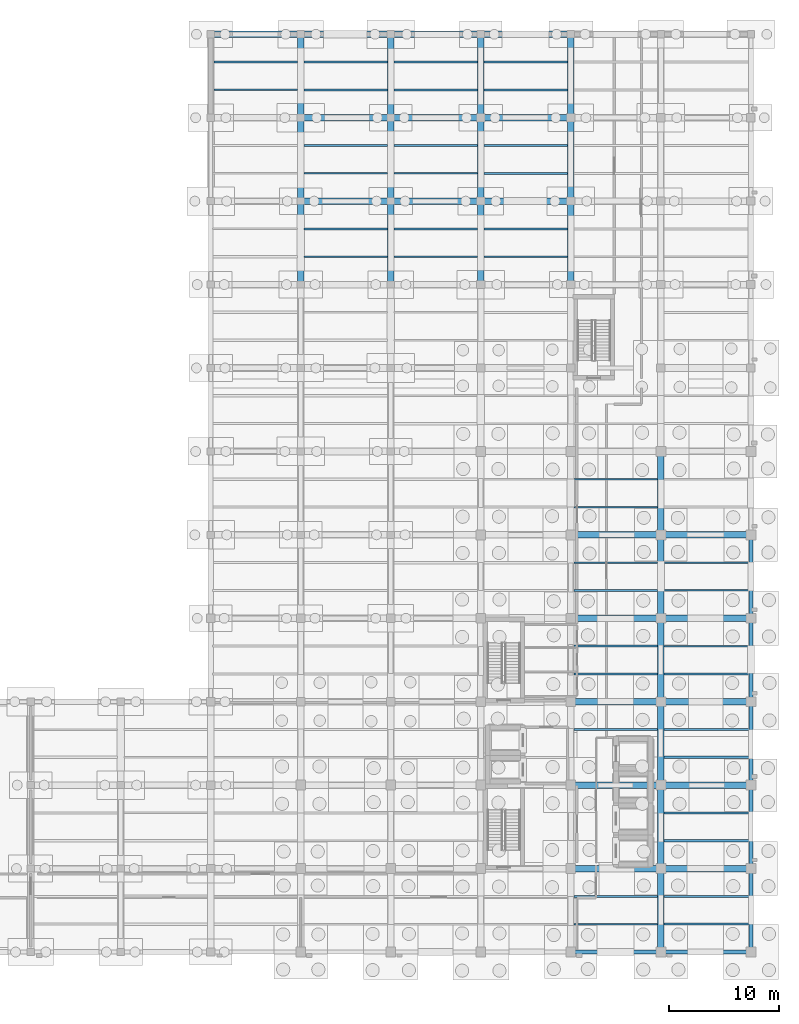
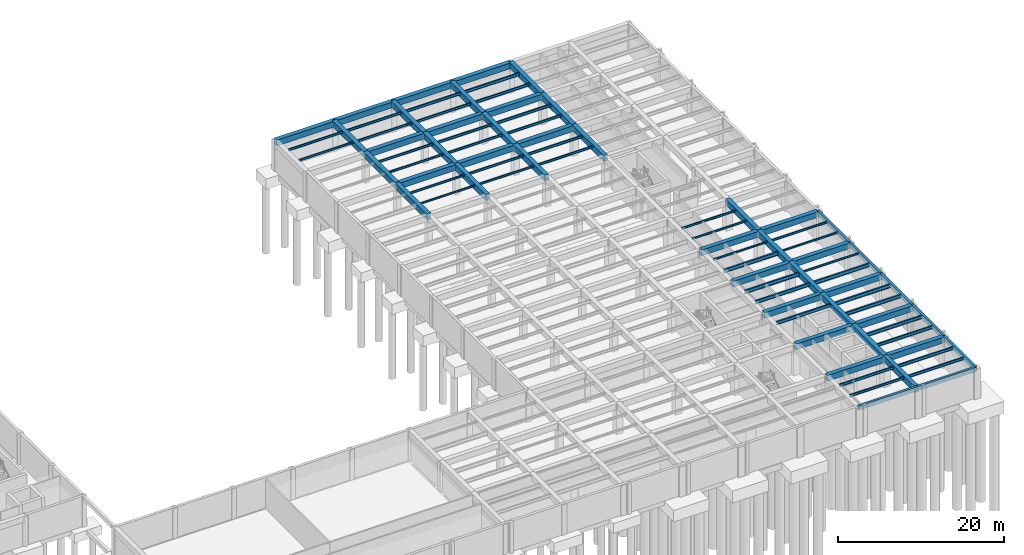
# One storey, part 14 of 29: 84 beams.
"""IFC4 building model written with IfcOpenShell, lengths in metres."""

from ifc_helpers import new_model, si_unit, direction, frame, origin, origin_2d, place, context, subcontext, project, spatial, rectangle, i_section, extrude, material, material_profile, profile_set, type_object, element, save


model = new_model("IFC4")

# Units and contexts
model_context = context("Model", 3, precision=1e-05, world=origin(), true_north=direction((0.0, 1.0)))
body_context = subcontext(model_context, "Body", "Model", "MODEL_VIEW")
ifc_project = project(units=[si_unit("LENGTHUNIT", "METRE"), si_unit("AREAUNIT", "SQUARE_METRE"), si_unit("VOLUMEUNIT", "CUBIC_METRE"), si_unit("PLANEANGLEUNIT", "RADIAN"), si_unit("MASSUNIT", "GRAM", prefix="KILO")], contexts=[model_context])

# Site, building, storey
site_placement = place(None, origin())
site = spatial("IfcSite", under=ifc_project, at=site_placement, CompositionType="ELEMENT")
building_placement = place(site_placement, origin())
building = spatial("IfcBuilding", under=site, at=building_placement, Name="Qandaris Square Conservatory and Botanical Centre", CompositionType="ELEMENT")
storey_placement = place(building_placement, frame((0.0, 0.0, -4.800048828125)))
storey = spatial("IfcBuildingStorey", under=building, at=storey_placement, Name="B1", CompositionType="ELEMENT", Elevation=-4.800048828125)

# Beams
ifc_material_1 = material(Name="Steel S355", Category="steel")
ifc_material_profile_1 = material_profile(ifc_material_1, i_section(OverallWidth=0.18994140625, OverallDepth=0.449951171875, WebThickness=0.009521484375, FlangeThickness=0.0146484375, FilletRadius=0.02099609375, at=origin_2d()), Name="IPE 450")
ifc_profile_set_1 = profile_set([ifc_material_profile_1], Name="Steel S355")
beam_type_1 = type_object("IfcBeamType", Name="Composite Archive Joist IPE 450", PredefinedType="JOIST", material=ifc_profile_set_1)
beam_1_placement = place(storey_placement, frame((139.5, 97.666748046875, 4.22509765625), z_axis=(1.0, 0.0, 0.0), x_axis=(0.0, 1.0, 0.0)))
element("IfcBeam", 1, at=beam_1_placement, inside=storey, type_object=beam_type_1, Name="B1 Composite Joist 0279", PredefinedType="JOIST", context=body_context, shape_type="SweptSolid", body=[
    extrude(i_section(OverallWidth=0.18994140625, OverallDepth=0.449951171875, WebThickness=0.009521484375, FlangeThickness=0.0146484375, FilletRadius=0.02099609375, at=origin_2d()), origin(), (0.0, 0.0, 1.0), 7.60009765625),
])
for number, where, z_axis, x_axis, name in (
    (2, (155.89990234375, 21.666748046875, 4.22509765625), (1.0, 0.0, 0.0), (0.0, 1.0, 0.0), "B1 Composite Joist 0298"),
    (3, (155.89990234375, 26.7333984375, 4.22509765625), (1.0, 0.0, 0.0), (0.0, 1.0, 0.0), "B1 Composite Joist 0299"),
):
    element("IfcBeam", number, at=place(storey_placement, frame(where, z_axis=z_axis, x_axis=x_axis)), inside=storey, type_object=beam_type_1, Name=name, PredefinedType="JOIST", context=body_context, shape_type="SweptSolid", body=[
        extrude(i_section(OverallWidth=0.18994140625, OverallDepth=0.449951171875, WebThickness=0.009521484375, FlangeThickness=0.0146484375, FilletRadius=0.02099609375, at=origin_2d()), origin(), (0.0, 0.0, 1.0), 7.72509765625),
    ])
ifc_material_profile_2 = material_profile(ifc_material_1, i_section(OverallWidth=0.199951171875, OverallDepth=0.5, WebThickness=0.01025390625, FlangeThickness=0.01611328125, FilletRadius=0.02099609375, at=origin_2d()), Name="IPE 500")
ifc_profile_set_2 = profile_set([ifc_material_profile_2], Name="Steel S355")
beam_type_2 = type_object("IfcBeamType", Name="Composite Gallery Joist IPE 500", PredefinedType="JOIST", material=ifc_profile_set_2)
for number, where, z_axis, x_axis, name in (
    (4, (147.699951171875, 36.86669921875, 4.199951171875), (1.0, 0.0, 0.0), (0.0, 1.0, 0.0), "B1 Composite Joist 0282"),
    (5, (147.699951171875, 41.933349609375, 4.199951171875), (1.0, 0.0, 0.0), (0.0, 1.0, 0.0), "B1 Composite Joist 0283"),
):
    element("IfcBeam", number, at=place(storey_placement, frame(where, z_axis=z_axis, x_axis=x_axis)), inside=storey, type_object=beam_type_2, Name=name, PredefinedType="JOIST", context=body_context, shape_type="SweptSolid", body=[
        extrude(i_section(OverallWidth=0.199951171875, OverallDepth=0.5, WebThickness=0.01025390625, FlangeThickness=0.01611328125, FilletRadius=0.02099609375, at=origin_2d()), origin(), (0.0, 0.0, 1.0), 7.60009765625),
    ])
for number, where, z_axis, x_axis, name in (
    (6, (155.89990234375, 29.2666015625, 4.199951171875), (1.0, 0.0, 0.0), (0.0, 1.0, 0.0), "B1 Composite Joist 0300"),
    (7, (155.89990234375, 34.333251953125, 4.199951171875), (1.0, 0.0, 0.0), (0.0, 1.0, 0.0), "B1 Composite Joist 0301"),
):
    element("IfcBeam", number, at=place(storey_placement, frame(where, z_axis=z_axis, x_axis=x_axis)), inside=storey, type_object=beam_type_2, Name=name, PredefinedType="JOIST", context=body_context, shape_type="SweptSolid", body=[
        extrude(i_section(OverallWidth=0.199951171875, OverallDepth=0.5, WebThickness=0.01025390625, FlangeThickness=0.01611328125, FilletRadius=0.02099609375, at=origin_2d()), origin(), (0.0, 0.0, 1.0), 7.72509765625),
    ])
ifc_material_profile_3 = material_profile(ifc_material_1, i_section(OverallWidth=0.14990234375, OverallDepth=0.300048828125, WebThickness=0.007080078125, FlangeThickness=0.0107421875, FilletRadius=0.014892578125, at=origin_2d()), Name="IPE 300")
ifc_profile_set_3 = profile_set([ifc_material_profile_3], Name="Steel S355")
beam_type_3 = type_object("IfcBeamType", Name="Composite Lab Joist IPE 300", PredefinedType="JOIST", material=ifc_profile_set_3)
beam_2_placement = place(storey_placement, frame((114.89990234375, 95.13330078125, 4.300048828125), z_axis=(1.0, 0.0, 0.0), x_axis=(0.0, 1.0, 0.0)))
element("IfcBeam", 8, at=beam_2_placement, inside=storey, type_object=beam_type_3, Name="B1 Composite Joist 0217", PredefinedType="JOIST", context=body_context, shape_type="SweptSolid", body=[
    extrude(i_section(OverallWidth=0.14990234375, OverallDepth=0.300048828125, WebThickness=0.007080078125, FlangeThickness=0.0107421875, FilletRadius=0.014892578125, at=origin_2d()), origin(), (0.0, 0.0, 1.0), 7.60009765625),
])
for number, where, z_axis, x_axis, name in (
    (9, (123.10009765625, 82.466796875, 4.300048828125), (1.0, 0.0, 0.0), (0.0, 1.0, 0.0), "B1 Composite Joist 0236"),
    (10, (123.10009765625, 87.533203125, 4.300048828125), (1.0, 0.0, 0.0), (0.0, 1.0, 0.0), "B1 Composite Joist 0237"),
    (11, (131.300048828125, 79.933349609375, 4.300048828125), (1.0, 0.0, 0.0), (0.0, 1.0, 0.0), "B1 Composite Joist 0257"),
):
    element("IfcBeam", number, at=place(storey_placement, frame(where, z_axis=z_axis, x_axis=x_axis)), inside=storey, type_object=beam_type_3, Name=name, PredefinedType="JOIST", context=body_context, shape_type="SweptSolid", body=[
        extrude(i_section(OverallWidth=0.14990234375, OverallDepth=0.300048828125, WebThickness=0.007080078125, FlangeThickness=0.0107421875, FilletRadius=0.014892578125, at=origin_2d()), origin(), (0.0, 0.0, 1.0), 7.599853515625),
    ])
beam_3_placement = place(storey_placement, frame((147.699951171875, 59.666748046875, 4.300048828125), z_axis=(1.0, 0.0, 0.0), x_axis=(0.0, 1.0, 0.0)))
element("IfcBeam", 12, at=beam_3_placement, inside=storey, type_object=beam_type_3, Name="B1 Composite Joist 0288", PredefinedType="JOIST", context=body_context, shape_type="SweptSolid", body=[
    extrude(i_section(OverallWidth=0.14990234375, OverallDepth=0.300048828125, WebThickness=0.007080078125, FlangeThickness=0.0107421875, FilletRadius=0.014892578125, at=origin_2d()), origin(), (0.0, 0.0, 1.0), 7.60009765625),
])
beam_4_placement = place(storey_placement, frame((155.89990234375, 52.066650390625, 4.300048828125), z_axis=(1.0, 0.0, 0.0), x_axis=(0.0, 1.0, 0.0)))
element("IfcBeam", 13, at=beam_4_placement, inside=storey, type_object=beam_type_3, Name="B1 Composite Joist 0306", PredefinedType="JOIST", context=body_context, shape_type="SweptSolid", body=[
    extrude(i_section(OverallWidth=0.14990234375, OverallDepth=0.300048828125, WebThickness=0.007080078125, FlangeThickness=0.0107421875, FilletRadius=0.014892578125, at=origin_2d()), origin(), (0.0, 0.0, 1.0), 7.72509765625),
])
ifc_material_profile_4 = material_profile(ifc_material_1, i_section(OverallWidth=0.159912109375, OverallDepth=0.330078125, WebThickness=0.007568359375, FlangeThickness=0.011474609375, FilletRadius=0.01806640625, at=origin_2d()), Name="IPE 330")
ifc_profile_set_4 = profile_set([ifc_material_profile_4], Name="Steel S355")
beam_type_4 = type_object("IfcBeamType", Name="Composite Lab Joist IPE 330", PredefinedType="JOIST", material=ifc_profile_set_4)
beam_5_placement = place(storey_placement, frame((114.89990234375, 97.666748046875, 4.28515625), z_axis=(1.0, 0.0, 0.0), x_axis=(0.0, 1.0, 0.0)))
element("IfcBeam", 14, at=beam_5_placement, inside=storey, type_object=beam_type_4, Name="B1 Composite Joist 0218", PredefinedType="JOIST", context=body_context, shape_type="SweptSolid", body=[
    extrude(i_section(OverallWidth=0.159912109375, OverallDepth=0.330078125, WebThickness=0.007568359375, FlangeThickness=0.011474609375, FilletRadius=0.01806640625, at=origin_2d()), origin(), (0.0, 0.0, 1.0), 7.60009765625),
])
for number, where, z_axis, x_axis, name in (
    (15, (123.10009765625, 90.066650390625, 4.28515625), (1.0, 0.0, 0.0), (0.0, 1.0, 0.0), "B1 Composite Joist 0238"),
    (16, (123.10009765625, 95.13330078125, 4.28515625), (1.0, 0.0, 0.0), (0.0, 1.0, 0.0), "B1 Composite Joist 0239"),
    (17, (131.300048828125, 82.466796875, 4.28515625), (1.0, 0.0, 0.0), (0.0, 1.0, 0.0), "B1 Composite Joist 0258"),
    (18, (131.300048828125, 87.533203125, 4.28515625), (1.0, 0.0, 0.0), (0.0, 1.0, 0.0), "B1 Composite Joist 0259"),
):
    element("IfcBeam", number, at=place(storey_placement, frame(where, z_axis=z_axis, x_axis=x_axis)), inside=storey, type_object=beam_type_4, Name=name, PredefinedType="JOIST", context=body_context, shape_type="SweptSolid", body=[
        extrude(i_section(OverallWidth=0.159912109375, OverallDepth=0.330078125, WebThickness=0.007568359375, FlangeThickness=0.011474609375, FilletRadius=0.01806640625, at=origin_2d()), origin(), (0.0, 0.0, 1.0), 7.599853515625),
    ])
beam_6_placement = place(storey_placement, frame((139.5, 79.933349609375, 4.28515625), z_axis=(1.0, 0.0, 0.0), x_axis=(0.0, 1.0, 0.0)))
element("IfcBeam", 19, at=beam_6_placement, inside=storey, type_object=beam_type_4, Name="B1 Composite Joist 0274", PredefinedType="JOIST", context=body_context, shape_type="SweptSolid", body=[
    extrude(i_section(OverallWidth=0.159912109375, OverallDepth=0.330078125, WebThickness=0.007568359375, FlangeThickness=0.011474609375, FilletRadius=0.01806640625, at=origin_2d()), origin(), (0.0, 0.0, 1.0), 7.60009765625),
])
ifc_material_profile_5 = material_profile(ifc_material_1, i_section(OverallWidth=0.169921875, OverallDepth=0.360107421875, WebThickness=0.008056640625, FlangeThickness=0.0126953125, FilletRadius=0.01806640625, at=origin_2d()), Name="IPE 360")
ifc_profile_set_5 = profile_set([ifc_material_profile_5], Name="Steel S355")
beam_type_5 = type_object("IfcBeamType", Name="Composite Lab Joist IPE 360", PredefinedType="JOIST", material=ifc_profile_set_5)
for number, where, z_axis, x_axis, name in (
    (20, (123.10009765625, 97.666748046875, 4.27001953125), (1.0, 0.0, 0.0), (0.0, 1.0, 0.0), "B1 Composite Joist 0240"),
    (21, (131.300048828125, 90.066650390625, 4.27001953125), (1.0, 0.0, 0.0), (0.0, 1.0, 0.0), "B1 Composite Joist 0260"),
    (22, (131.300048828125, 95.13330078125, 4.27001953125), (1.0, 0.0, 0.0), (0.0, 1.0, 0.0), "B1 Composite Joist 0261"),
):
    element("IfcBeam", number, at=place(storey_placement, frame(where, z_axis=z_axis, x_axis=x_axis)), inside=storey, type_object=beam_type_5, Name=name, PredefinedType="JOIST", context=body_context, shape_type="SweptSolid", body=[
        extrude(i_section(OverallWidth=0.169921875, OverallDepth=0.360107421875, WebThickness=0.008056640625, FlangeThickness=0.0126953125, FilletRadius=0.01806640625, at=origin_2d()), origin(), (0.0, 0.0, 1.0), 7.599853515625),
    ])
for number, where, z_axis, x_axis, name in (
    (23, (139.5, 82.466796875, 4.27001953125), (1.0, 0.0, 0.0), (0.0, 1.0, 0.0), "B1 Composite Joist 0275"),
    (24, (139.5, 87.533203125, 4.27001953125), (1.0, 0.0, 0.0), (0.0, 1.0, 0.0), "B1 Composite Joist 0276"),
    (25, (147.699951171875, 19.13330078125, 4.27001953125), (1.0, 0.0, 0.0), (0.0, 1.0, 0.0), "B1 Composite Joist 0280"),
):
    element("IfcBeam", number, at=place(storey_placement, frame(where, z_axis=z_axis, x_axis=x_axis)), inside=storey, type_object=beam_type_5, Name=name, PredefinedType="JOIST", context=body_context, shape_type="SweptSolid", body=[
        extrude(i_section(OverallWidth=0.169921875, OverallDepth=0.360107421875, WebThickness=0.008056640625, FlangeThickness=0.0126953125, FilletRadius=0.01806640625, at=origin_2d()), origin(), (0.0, 0.0, 1.0), 7.60009765625),
    ])
ifc_material_profile_6 = material_profile(ifc_material_1, i_section(OverallWidth=0.179931640625, OverallDepth=0.39990234375, WebThickness=0.008544921875, FlangeThickness=0.013427734375, FilletRadius=0.02099609375, at=origin_2d()), Name="IPE 400")
ifc_profile_set_6 = profile_set([ifc_material_profile_6], Name="Steel S355")
beam_type_6 = type_object("IfcBeamType", Name="Composite Plinth Joist IPE 400", PredefinedType="JOIST", material=ifc_profile_set_6)
beam_7_placement = place(storey_placement, frame((131.300048828125, 97.666748046875, 4.25), z_axis=(1.0, 0.0, 0.0), x_axis=(0.0, 1.0, 0.0)))
element("IfcBeam", 26, at=beam_7_placement, inside=storey, type_object=beam_type_6, Name="B1 Composite Joist 0262", PredefinedType="JOIST", context=body_context, shape_type="SweptSolid", body=[
    extrude(i_section(OverallWidth=0.179931640625, OverallDepth=0.39990234375, WebThickness=0.008544921875, FlangeThickness=0.013427734375, FilletRadius=0.02099609375, at=origin_2d()), origin(), (0.0, 0.0, 1.0), 7.599853515625),
])
for number, where, z_axis, x_axis, name in (
    (27, (139.5, 90.066650390625, 4.25), (1.0, 0.0, 0.0), (0.0, 1.0, 0.0), "B1 Composite Joist 0277"),
    (28, (139.5, 95.13330078125, 4.25), (1.0, 0.0, 0.0), (0.0, 1.0, 0.0), "B1 Composite Joist 0278"),
    (29, (147.699951171875, 21.666748046875, 4.25), (1.0, 0.0, 0.0), (0.0, 1.0, 0.0), "B1 Composite Joist 0281"),
):
    element("IfcBeam", number, at=place(storey_placement, frame(where, z_axis=z_axis, x_axis=x_axis)), inside=storey, type_object=beam_type_6, Name=name, PredefinedType="JOIST", context=body_context, shape_type="SweptSolid", body=[
        extrude(i_section(OverallWidth=0.179931640625, OverallDepth=0.39990234375, WebThickness=0.008544921875, FlangeThickness=0.013427734375, FilletRadius=0.02099609375, at=origin_2d()), origin(), (0.0, 0.0, 1.0), 7.60009765625),
    ])
beam_8_placement = place(storey_placement, frame((155.89990234375, 19.13330078125, 4.25), z_axis=(1.0, 0.0, 0.0), x_axis=(0.0, 1.0, 0.0)))
element("IfcBeam", 30, at=beam_8_placement, inside=storey, type_object=beam_type_6, Name="B1 Composite Joist 0297", PredefinedType="JOIST", context=body_context, shape_type="SweptSolid", body=[
    extrude(i_section(OverallWidth=0.179931640625, OverallDepth=0.39990234375, WebThickness=0.008544921875, FlangeThickness=0.013427734375, FilletRadius=0.02099609375, at=origin_2d()), origin(), (0.0, 0.0, 1.0), 7.72509765625),
])
ifc_material_profile_7 = material_profile(ifc_material_1, i_section(OverallWidth=0.2099609375, OverallDepth=0.550048828125, WebThickness=0.010986328125, FlangeThickness=0.01708984375, FilletRadius=0.02392578125, at=origin_2d()), Name="IPE 550")
ifc_profile_set_7 = profile_set([ifc_material_profile_7], Name="Steel S355")
beam_type_7 = type_object("IfcBeamType", Name="Long-Span Foyer Joist IPE 550", PredefinedType="JOIST", material=ifc_profile_set_7)
for number, where, z_axis, x_axis, name in (
    (31, (147.699951171875, 44.466796875, 4.175048828125), (1.0, 0.0, 0.0), (0.0, 1.0, 0.0), "B1 Composite Joist 0284"),
    (32, (147.699951171875, 49.533203125, 4.175048828125), (1.0, 0.0, 0.0), (0.0, 1.0, 0.0), "B1 Composite Joist 0285"),
):
    element("IfcBeam", number, at=place(storey_placement, frame(where, z_axis=z_axis, x_axis=x_axis)), inside=storey, type_object=beam_type_7, Name=name, PredefinedType="JOIST", context=body_context, shape_type="SweptSolid", body=[
        extrude(i_section(OverallWidth=0.2099609375, OverallDepth=0.550048828125, WebThickness=0.010986328125, FlangeThickness=0.01708984375, FilletRadius=0.02392578125, at=origin_2d()), origin(), (0.0, 0.0, 1.0), 7.60009765625),
    ])
for number, where, z_axis, x_axis, name in (
    (33, (155.89990234375, 36.86669921875, 4.175048828125), (1.0, 0.0, 0.0), (0.0, 1.0, 0.0), "B1 Composite Joist 0302"),
    (34, (155.89990234375, 41.933349609375, 4.175048828125), (1.0, 0.0, 0.0), (0.0, 1.0, 0.0), "B1 Composite Joist 0303"),
):
    element("IfcBeam", number, at=place(storey_placement, frame(where, z_axis=z_axis, x_axis=x_axis)), inside=storey, type_object=beam_type_7, Name=name, PredefinedType="JOIST", context=body_context, shape_type="SweptSolid", body=[
        extrude(i_section(OverallWidth=0.2099609375, OverallDepth=0.550048828125, WebThickness=0.010986328125, FlangeThickness=0.01708984375, FilletRadius=0.02392578125, at=origin_2d()), origin(), (0.0, 0.0, 1.0), 7.72509765625),
    ])
ifc_material_2 = material(Name="Concrete C50/60", Category="concrete")
ifc_material_profile_8 = material_profile(ifc_material_2, rectangle(XDim=0.35009765625, YDim=0.60009765625, at=origin_2d()), Name="RC-SP 350x600")
ifc_profile_set_8 = profile_set([ifc_material_profile_8], Name="Concrete C50/60")
beam_type_8 = type_object("IfcBeamType", Name="RC Edge Spandrel Beam 350x600", PredefinedType="SPANDREL", material=ifc_profile_set_8)
beam_9_placement = place(storey_placement, frame((147.39990234375, 16.60009765625, 4.16015625), z_axis=(1.0, 0.0, 0.0), x_axis=(0.0, 1.0, 0.0)))
element("IfcBeam", 35, at=beam_9_placement, inside=storey, type_object=beam_type_8, Name="B1 Frame Beam 0011", PredefinedType="SPANDREL", context=body_context, shape_type="SweptSolid", body=[
    extrude(rectangle(XDim=0.35009765625, YDim=0.60009765625, at=origin_2d()), origin(), (0.0, 0.0, 1.0), 8.2001953125),
])
beam_10_placement = place(storey_placement, frame((155.60009765625, 16.60009765625, 4.16015625), z_axis=(1.0, 0.0, 0.0), x_axis=(0.0, 1.0, 0.0)))
element("IfcBeam", 36, at=beam_10_placement, inside=storey, type_object=beam_type_8, Name="B1 Frame Beam 0012", PredefinedType="SPANDREL", context=body_context, shape_type="SweptSolid", body=[
    extrude(rectangle(XDim=0.35009765625, YDim=0.60009765625, at=origin_2d()), origin(), (0.0, 0.0, 1.0), 8.199951171875),
])
beam_11_placement = place(storey_placement, frame((163.800048828125, 16.60009765625, 4.16015625), z_axis=(0.0, 1.0, 0.0), x_axis=(-1.0, 0.0, 0.0)))
element("IfcBeam", 37, at=beam_11_placement, inside=storey, type_object=beam_type_8, Name="B1 Frame Beam 0174", PredefinedType="SPANDREL", context=body_context, shape_type="SweptSolid", body=[
    extrude(rectangle(XDim=0.35009765625, YDim=0.60009765625, at=origin_2d()), origin(), (0.0, 0.0, 1.0), 7.599853515625),
])
beam_12_placement = place(storey_placement, frame((163.800048828125, 24.199951171875, 4.16015625), z_axis=(0.0, 1.0, 0.0), x_axis=(-1.0, 0.0, 0.0)))
element("IfcBeam", 38, at=beam_12_placement, inside=storey, type_object=beam_type_8, Name="B1 Frame Beam 0175", PredefinedType="SPANDREL", context=body_context, shape_type="SweptSolid", body=[
    extrude(rectangle(XDim=0.35009765625, YDim=0.60009765625, at=origin_2d()), origin(), (0.0, 0.0, 1.0), 7.60009765625),
])
beam_13_placement = place(storey_placement, frame((163.800048828125, 31.800048828125, 4.16015625), z_axis=(0.0, 1.0, 0.0), x_axis=(-1.0, 0.0, 0.0)))
element("IfcBeam", 39, at=beam_13_placement, inside=storey, type_object=beam_type_8, Name="B1 Frame Beam 0176", PredefinedType="SPANDREL", context=body_context, shape_type="SweptSolid", body=[
    extrude(rectangle(XDim=0.35009765625, YDim=0.60009765625, at=origin_2d()), origin(), (0.0, 0.0, 1.0), 7.599853515625),
])
for number, where, z_axis, x_axis, name in (
    (40, (163.800048828125, 39.39990234375, 4.16015625), (0.0, 1.0, 0.0), (-1.0, 0.0, 0.0), "B1 Frame Beam 0177"),
    (41, (163.800048828125, 47.0, 4.16015625), (0.0, 1.0, 0.0), (-1.0, 0.0, 0.0), "B1 Frame Beam 0178"),
):
    element("IfcBeam", number, at=place(storey_placement, frame(where, z_axis=z_axis, x_axis=x_axis)), inside=storey, type_object=beam_type_8, Name=name, PredefinedType="SPANDREL", context=body_context, shape_type="SweptSolid", body=[
        extrude(rectangle(XDim=0.35009765625, YDim=0.60009765625, at=origin_2d()), origin(), (0.0, 0.0, 1.0), 7.60009765625),
    ])
ifc_material_profile_9 = material_profile(ifc_material_2, rectangle(XDim=0.60009765625, YDim=0.85009765625, at=origin_2d()), Name="RC-BM 600x850")
ifc_profile_set_9 = profile_set([ifc_material_profile_9], Name="Concrete C50/60")
beam_type_9 = type_object("IfcBeamType", Name="RC Heavy Archive Girder 600x850", PredefinedType="BEAM", material=ifc_profile_set_9)
beam_14_placement = place(storey_placement, frame((147.39990234375, 24.199951171875, 4.03515625), z_axis=(1.0, 0.0, 0.0), x_axis=(0.0, 1.0, 0.0)))
element("IfcBeam", 42, at=beam_14_placement, inside=storey, type_object=beam_type_9, Name="B1 Frame Beam 0019", PredefinedType="BEAM", context=body_context, shape_type="SweptSolid", body=[
    extrude(rectangle(XDim=0.60009765625, YDim=0.85009765625, at=origin_2d()), origin(), (0.0, 0.0, 1.0), 8.2001953125),
])
beam_15_placement = place(storey_placement, frame((155.60009765625, 24.199951171875, 4.03515625), z_axis=(1.0, 0.0, 0.0), x_axis=(0.0, 1.0, 0.0)))
element("IfcBeam", 43, at=beam_15_placement, inside=storey, type_object=beam_type_9, Name="B1 Frame Beam 0020", PredefinedType="BEAM", context=body_context, shape_type="SweptSolid", body=[
    extrude(rectangle(XDim=0.60009765625, YDim=0.85009765625, at=origin_2d()), origin(), (0.0, 0.0, 1.0), 8.199951171875),
])
beam_16_placement = place(storey_placement, frame((147.39990234375, 31.800048828125, 4.03515625), z_axis=(1.0, 0.0, 0.0), x_axis=(0.0, 1.0, 0.0)))
element("IfcBeam", 44, at=beam_16_placement, inside=storey, type_object=beam_type_9, Name="B1 Frame Beam 0027", PredefinedType="BEAM", context=body_context, shape_type="SweptSolid", body=[
    extrude(rectangle(XDim=0.60009765625, YDim=0.85009765625, at=origin_2d()), origin(), (0.0, 0.0, 1.0), 8.2001953125),
])
beam_17_placement = place(storey_placement, frame((155.60009765625, 31.800048828125, 4.03515625), z_axis=(1.0, 0.0, 0.0), x_axis=(0.0, 1.0, 0.0)))
element("IfcBeam", 45, at=beam_17_placement, inside=storey, type_object=beam_type_9, Name="B1 Frame Beam 0028", PredefinedType="BEAM", context=body_context, shape_type="SweptSolid", body=[
    extrude(rectangle(XDim=0.60009765625, YDim=0.85009765625, at=origin_2d()), origin(), (0.0, 0.0, 1.0), 8.199951171875),
])
beam_18_placement = place(storey_placement, frame((147.39990234375, 39.39990234375, 4.03515625), z_axis=(1.0, 0.0, 0.0), x_axis=(0.0, 1.0, 0.0)))
element("IfcBeam", 46, at=beam_18_placement, inside=storey, type_object=beam_type_9, Name="B1 Frame Beam 0040", PredefinedType="BEAM", context=body_context, shape_type="SweptSolid", body=[
    extrude(rectangle(XDim=0.60009765625, YDim=0.85009765625, at=origin_2d()), origin(), (0.0, 0.0, 1.0), 8.2001953125),
])
beam_19_placement = place(storey_placement, frame((155.60009765625, 39.39990234375, 4.03515625), z_axis=(1.0, 0.0, 0.0), x_axis=(0.0, 1.0, 0.0)))
element("IfcBeam", 47, at=beam_19_placement, inside=storey, type_object=beam_type_9, Name="B1 Frame Beam 0041", PredefinedType="BEAM", context=body_context, shape_type="SweptSolid", body=[
    extrude(rectangle(XDim=0.60009765625, YDim=0.85009765625, at=origin_2d()), origin(), (0.0, 0.0, 1.0), 8.199951171875),
])
beam_20_placement = place(storey_placement, frame((147.39990234375, 47.0, 4.03515625), z_axis=(1.0, 0.0, 0.0), x_axis=(0.0, 1.0, 0.0)))
element("IfcBeam", 48, at=beam_20_placement, inside=storey, type_object=beam_type_9, Name="B1 Frame Beam 0050", PredefinedType="BEAM", context=body_context, shape_type="SweptSolid", body=[
    extrude(rectangle(XDim=0.60009765625, YDim=0.85009765625, at=origin_2d()), origin(), (0.0, 0.0, 1.0), 8.2001953125),
])
beam_21_placement = place(storey_placement, frame((155.60009765625, 47.0, 4.03515625), z_axis=(1.0, 0.0, 0.0), x_axis=(0.0, 1.0, 0.0)))
element("IfcBeam", 49, at=beam_21_placement, inside=storey, type_object=beam_type_9, Name="B1 Frame Beam 0051", PredefinedType="BEAM", context=body_context, shape_type="SweptSolid", body=[
    extrude(rectangle(XDim=0.60009765625, YDim=0.85009765625, at=origin_2d()), origin(), (0.0, 0.0, 1.0), 8.199951171875),
])
beam_22_placement = place(storey_placement, frame((147.39990234375, 54.60009765625, 4.03515625), z_axis=(1.0, 0.0, 0.0), x_axis=(0.0, 1.0, 0.0)))
element("IfcBeam", 50, at=beam_22_placement, inside=storey, type_object=beam_type_9, Name="B1 Frame Beam 0056", PredefinedType="BEAM", context=body_context, shape_type="SweptSolid", body=[
    extrude(rectangle(XDim=0.60009765625, YDim=0.85009765625, at=origin_2d()), origin(), (0.0, 0.0, 1.0), 8.2001953125),
])
for number, where, z_axis, x_axis, name in (
    (51, (155.60009765625, 54.60009765625, 4.03515625), (1.0, 0.0, 0.0), (0.0, 1.0, 0.0), "B1 Frame Beam 0057"),
    (52, (122.800048828125, 85.0, 4.03515625), (1.0, 0.0, 0.0), (0.0, 1.0, 0.0), "B1 Frame Beam 0076"),
    (53, (131.0, 85.0, 4.03515625), (1.0, 0.0, 0.0), (0.0, 1.0, 0.0), "B1 Frame Beam 0077"),
    (54, (139.199951171875, 85.0, 4.03515625), (1.0, 0.0, 0.0), (0.0, 1.0, 0.0), "B1 Frame Beam 0078"),
    (55, (122.800048828125, 92.60009765625, 4.03515625), (1.0, 0.0, 0.0), (0.0, 1.0, 0.0), "B1 Frame Beam 0082"),
    (56, (131.0, 92.60009765625, 4.03515625), (1.0, 0.0, 0.0), (0.0, 1.0, 0.0), "B1 Frame Beam 0083"),
    (57, (139.199951171875, 92.60009765625, 4.03515625), (1.0, 0.0, 0.0), (0.0, 1.0, 0.0), "B1 Frame Beam 0084"),
    (58, (114.60009765625, 100.199951171875, 4.03515625), (1.0, 0.0, 0.0), (0.0, 1.0, 0.0), "B1 Frame Beam 0087"),
    (59, (122.800048828125, 100.199951171875, 4.03515625), (1.0, 0.0, 0.0), (0.0, 1.0, 0.0), "B1 Frame Beam 0088"),
    (60, (131.0, 100.199951171875, 4.03515625), (1.0, 0.0, 0.0), (0.0, 1.0, 0.0), "B1 Frame Beam 0089"),
    (61, (139.199951171875, 100.199951171875, 4.03515625), (1.0, 0.0, 0.0), (0.0, 1.0, 0.0), "B1 Frame Beam 0090"),
):
    element("IfcBeam", number, at=place(storey_placement, frame(where, z_axis=z_axis, x_axis=x_axis)), inside=storey, type_object=beam_type_9, Name=name, PredefinedType="BEAM", context=body_context, shape_type="SweptSolid", body=[
        extrude(rectangle(XDim=0.60009765625, YDim=0.85009765625, at=origin_2d()), origin(), (0.0, 0.0, 1.0), 8.199951171875),
    ])
for number, where, z_axis, x_axis, name in (
    (62, (122.800048828125, 77.39990234375, 4.03515625), (0.0, 1.0, 0.0), (-1.0, 0.0, 0.0), "B1 Frame Beam 0127"),
    (63, (122.800048828125, 85.0, 4.03515625), (0.0, 1.0, 0.0), (-1.0, 0.0, 0.0), "B1 Frame Beam 0128"),
):
    element("IfcBeam", number, at=place(storey_placement, frame(where, z_axis=z_axis, x_axis=x_axis)), inside=storey, type_object=beam_type_9, Name=name, PredefinedType="BEAM", context=body_context, shape_type="SweptSolid", body=[
        extrude(rectangle(XDim=0.60009765625, YDim=0.85009765625, at=origin_2d()), origin(), (0.0, 0.0, 1.0), 7.60009765625),
    ])
beam_23_placement = place(storey_placement, frame((122.800048828125, 92.60009765625, 4.03515625), z_axis=(0.0, 1.0, 0.0), x_axis=(-1.0, 0.0, 0.0)))
element("IfcBeam", 64, at=beam_23_placement, inside=storey, type_object=beam_type_9, Name="B1 Frame Beam 0129", PredefinedType="BEAM", context=body_context, shape_type="SweptSolid", body=[
    extrude(rectangle(XDim=0.60009765625, YDim=0.85009765625, at=origin_2d()), origin(), (0.0, 0.0, 1.0), 7.599853515625),
])
for number, where, z_axis, x_axis, name in (
    (65, (131.0, 77.39990234375, 4.03515625), (0.0, 1.0, 0.0), (-1.0, 0.0, 0.0), "B1 Frame Beam 0138"),
    (66, (131.0, 85.0, 4.03515625), (0.0, 1.0, 0.0), (-1.0, 0.0, 0.0), "B1 Frame Beam 0139"),
):
    element("IfcBeam", number, at=place(storey_placement, frame(where, z_axis=z_axis, x_axis=x_axis)), inside=storey, type_object=beam_type_9, Name=name, PredefinedType="BEAM", context=body_context, shape_type="SweptSolid", body=[
        extrude(rectangle(XDim=0.60009765625, YDim=0.85009765625, at=origin_2d()), origin(), (0.0, 0.0, 1.0), 7.60009765625),
    ])
beam_24_placement = place(storey_placement, frame((131.0, 92.60009765625, 4.03515625), z_axis=(0.0, 1.0, 0.0), x_axis=(-1.0, 0.0, 0.0)))
element("IfcBeam", 67, at=beam_24_placement, inside=storey, type_object=beam_type_9, Name="B1 Frame Beam 0140", PredefinedType="BEAM", context=body_context, shape_type="SweptSolid", body=[
    extrude(rectangle(XDim=0.60009765625, YDim=0.85009765625, at=origin_2d()), origin(), (0.0, 0.0, 1.0), 7.599853515625),
])
for number, where, z_axis, x_axis, name in (
    (68, (139.199951171875, 77.39990234375, 4.03515625), (0.0, 1.0, 0.0), (-1.0, 0.0, 0.0), "B1 Frame Beam 0149"),
    (69, (139.199951171875, 85.0, 4.03515625), (0.0, 1.0, 0.0), (-1.0, 0.0, 0.0), "B1 Frame Beam 0150"),
):
    element("IfcBeam", number, at=place(storey_placement, frame(where, z_axis=z_axis, x_axis=x_axis)), inside=storey, type_object=beam_type_9, Name=name, PredefinedType="BEAM", context=body_context, shape_type="SweptSolid", body=[
        extrude(rectangle(XDim=0.60009765625, YDim=0.85009765625, at=origin_2d()), origin(), (0.0, 0.0, 1.0), 7.60009765625),
    ])
beam_25_placement = place(storey_placement, frame((139.199951171875, 92.60009765625, 4.03515625), z_axis=(0.0, 1.0, 0.0), x_axis=(-1.0, 0.0, 0.0)))
element("IfcBeam", 70, at=beam_25_placement, inside=storey, type_object=beam_type_9, Name="B1 Frame Beam 0151", PredefinedType="BEAM", context=body_context, shape_type="SweptSolid", body=[
    extrude(rectangle(XDim=0.60009765625, YDim=0.85009765625, at=origin_2d()), origin(), (0.0, 0.0, 1.0), 7.599853515625),
])
for number, where, z_axis, x_axis, name in (
    (71, (147.39990234375, 77.39990234375, 4.03515625), (0.0, 1.0, 0.0), (-1.0, 0.0, 0.0), "B1 Frame Beam 0160"),
    (72, (147.39990234375, 85.0, 4.03515625), (0.0, 1.0, 0.0), (-1.0, 0.0, 0.0), "B1 Frame Beam 0161"),
):
    element("IfcBeam", number, at=place(storey_placement, frame(where, z_axis=z_axis, x_axis=x_axis)), inside=storey, type_object=beam_type_9, Name=name, PredefinedType="BEAM", context=body_context, shape_type="SweptSolid", body=[
        extrude(rectangle(XDim=0.60009765625, YDim=0.85009765625, at=origin_2d()), origin(), (0.0, 0.0, 1.0), 7.60009765625),
    ])
for number, where, z_axis, x_axis, name in (
    (73, (147.39990234375, 92.60009765625, 4.03515625), (0.0, 1.0, 0.0), (-1.0, 0.0, 0.0), "B1 Frame Beam 0162"),
    (74, (155.60009765625, 16.60009765625, 4.03515625), (0.0, 1.0, 0.0), (-1.0, 0.0, 0.0), "B1 Frame Beam 0163"),
):
    element("IfcBeam", number, at=place(storey_placement, frame(where, z_axis=z_axis, x_axis=x_axis)), inside=storey, type_object=beam_type_9, Name=name, PredefinedType="BEAM", context=body_context, shape_type="SweptSolid", body=[
        extrude(rectangle(XDim=0.60009765625, YDim=0.85009765625, at=origin_2d()), origin(), (0.0, 0.0, 1.0), 7.599853515625),
    ])
beam_26_placement = place(storey_placement, frame((155.60009765625, 24.199951171875, 4.03515625), z_axis=(0.0, 1.0, 0.0), x_axis=(-1.0, 0.0, 0.0)))
element("IfcBeam", 75, at=beam_26_placement, inside=storey, type_object=beam_type_9, Name="B1 Frame Beam 0164", PredefinedType="BEAM", context=body_context, shape_type="SweptSolid", body=[
    extrude(rectangle(XDim=0.60009765625, YDim=0.85009765625, at=origin_2d()), origin(), (0.0, 0.0, 1.0), 7.60009765625),
])
beam_27_placement = place(storey_placement, frame((155.60009765625, 31.800048828125, 4.03515625), z_axis=(0.0, 1.0, 0.0), x_axis=(-1.0, 0.0, 0.0)))
element("IfcBeam", 76, at=beam_27_placement, inside=storey, type_object=beam_type_9, Name="B1 Frame Beam 0165", PredefinedType="BEAM", context=body_context, shape_type="SweptSolid", body=[
    extrude(rectangle(XDim=0.60009765625, YDim=0.85009765625, at=origin_2d()), origin(), (0.0, 0.0, 1.0), 7.599853515625),
])
for number, where, z_axis, x_axis, name in (
    (77, (155.60009765625, 39.39990234375, 4.03515625), (0.0, 1.0, 0.0), (-1.0, 0.0, 0.0), "B1 Frame Beam 0166"),
    (78, (155.60009765625, 47.0, 4.03515625), (0.0, 1.0, 0.0), (-1.0, 0.0, 0.0), "B1 Frame Beam 0167"),
):
    element("IfcBeam", number, at=place(storey_placement, frame(where, z_axis=z_axis, x_axis=x_axis)), inside=storey, type_object=beam_type_9, Name=name, PredefinedType="BEAM", context=body_context, shape_type="SweptSolid", body=[
        extrude(rectangle(XDim=0.60009765625, YDim=0.85009765625, at=origin_2d()), origin(), (0.0, 0.0, 1.0), 7.60009765625),
    ])
beam_28_placement = place(storey_placement, frame((155.60009765625, 54.60009765625, 4.03515625), z_axis=(0.0, 1.0, 0.0), x_axis=(-1.0, 0.0, 0.0)))
element("IfcBeam", 79, at=beam_28_placement, inside=storey, type_object=beam_type_9, Name="B1 Frame Beam 0168", PredefinedType="BEAM", context=body_context, shape_type="SweptSolid", body=[
    extrude(rectangle(XDim=0.60009765625, YDim=0.85009765625, at=origin_2d()), origin(), (0.0, 0.0, 1.0), 7.599853515625),
])
ifc_material_profile_10 = material_profile(ifc_material_1, i_section(OverallWidth=0.135009765625, OverallDepth=0.27001953125, WebThickness=0.006591796875, FlangeThickness=0.01025390625, FilletRadius=0.014892578125, at=origin_2d()), Name="IPE 270")
ifc_profile_set_10 = profile_set([ifc_material_profile_10], Name="Steel S355")
beam_type_10 = type_object("IfcBeamType", Name="Steel Floor Joist IPE 270", PredefinedType="JOIST", material=ifc_profile_set_10)
beam_29_placement = place(storey_placement, frame((123.10009765625, 79.933349609375, 4.31494140625), z_axis=(1.0, 0.0, 0.0), x_axis=(0.0, 1.0, 0.0)))
element("IfcBeam", 80, at=beam_29_placement, inside=storey, type_object=beam_type_10, Name="B1 Composite Joist 0235", PredefinedType="JOIST", context=body_context, shape_type="SweptSolid", body=[
    extrude(i_section(OverallWidth=0.135009765625, OverallDepth=0.27001953125, WebThickness=0.006591796875, FlangeThickness=0.01025390625, FilletRadius=0.014892578125, at=origin_2d()), origin(), (0.0, 0.0, 1.0), 7.599853515625),
])
for number, where, z_axis, x_axis, name in (
    (81, (147.699951171875, 52.066650390625, 4.31494140625), (1.0, 0.0, 0.0), (0.0, 1.0, 0.0), "B1 Composite Joist 0286"),
    (82, (147.699951171875, 57.13330078125, 4.31494140625), (1.0, 0.0, 0.0), (0.0, 1.0, 0.0), "B1 Composite Joist 0287"),
):
    element("IfcBeam", number, at=place(storey_placement, frame(where, z_axis=z_axis, x_axis=x_axis)), inside=storey, type_object=beam_type_10, Name=name, PredefinedType="JOIST", context=body_context, shape_type="SweptSolid", body=[
        extrude(i_section(OverallWidth=0.135009765625, OverallDepth=0.27001953125, WebThickness=0.006591796875, FlangeThickness=0.01025390625, FilletRadius=0.014892578125, at=origin_2d()), origin(), (0.0, 0.0, 1.0), 7.60009765625),
    ])
for number, where, z_axis, x_axis, name in (
    (83, (155.89990234375, 44.466796875, 4.31494140625), (1.0, 0.0, 0.0), (0.0, 1.0, 0.0), "B1 Composite Joist 0304"),
    (84, (155.89990234375, 49.533203125, 4.31494140625), (1.0, 0.0, 0.0), (0.0, 1.0, 0.0), "B1 Composite Joist 0305"),
):
    element("IfcBeam", number, at=place(storey_placement, frame(where, z_axis=z_axis, x_axis=x_axis)), inside=storey, type_object=beam_type_10, Name=name, PredefinedType="JOIST", context=body_context, shape_type="SweptSolid", body=[
        extrude(i_section(OverallWidth=0.135009765625, OverallDepth=0.27001953125, WebThickness=0.006591796875, FlangeThickness=0.01025390625, FilletRadius=0.014892578125, at=origin_2d()), origin(), (0.0, 0.0, 1.0), 7.72509765625),
    ])

save(model, "model.ifc")
